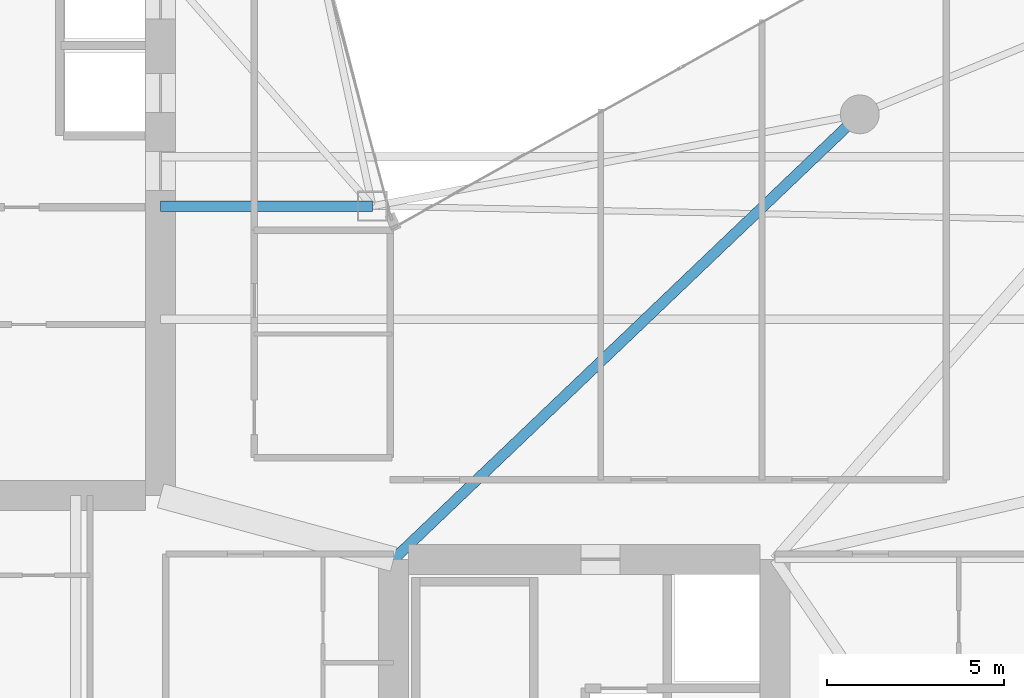
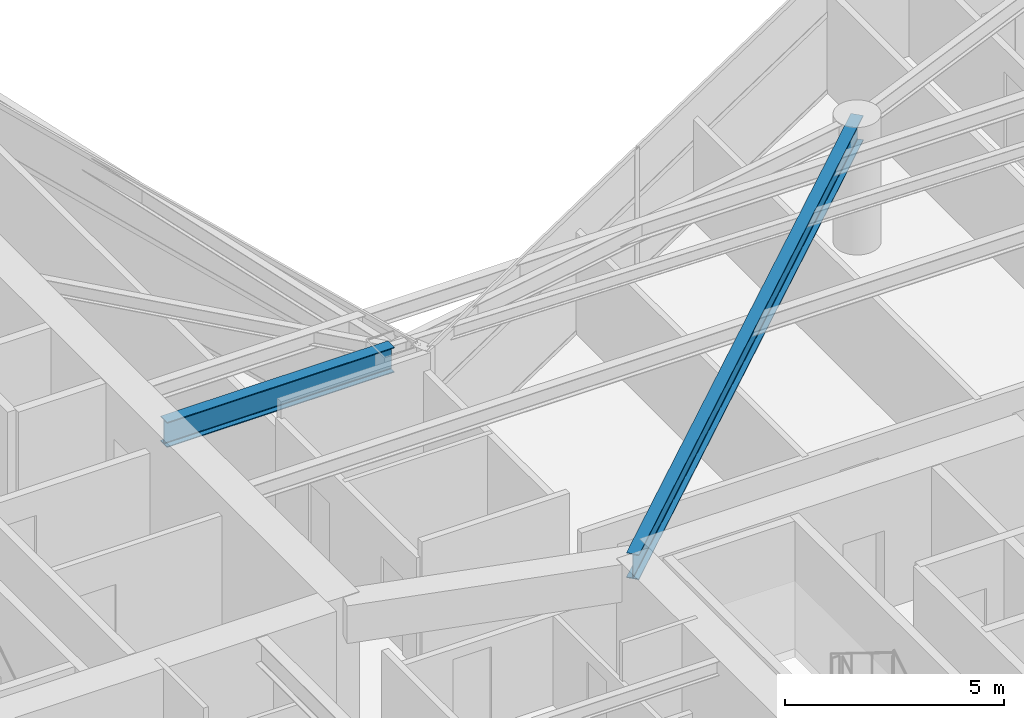
# One storey, part 9 of 28: 2 beams.
"""IFC4 building model written with IfcOpenShell, lengths in metres."""

from ifc_helpers import new_model, si_unit, direction, frame, origin, origin_2d, place, context, subcontext, project, spatial, i_section, extrude, material, material_profile, profile_set, type_object, element, save


model = new_model("IFC4")

# Units and contexts
model_context = context("Model", 3, precision=1e-05, world=origin(), true_north=direction((0.0, 1.0)))
body_context = subcontext(model_context, "Body", "Model", "MODEL_VIEW")
ifc_project = project(units=[si_unit("LENGTHUNIT", "METRE"), si_unit("AREAUNIT", "SQUARE_METRE"), si_unit("VOLUMEUNIT", "CUBIC_METRE"), si_unit("PLANEANGLEUNIT", "RADIAN"), si_unit("MASSUNIT", "GRAM", prefix="KILO")], contexts=[model_context])

# Site, building, storey
site_placement = place(None, origin())
site = spatial("IfcSite", under=ifc_project, at=site_placement, CompositionType="ELEMENT")
building_placement = place(site_placement, origin())
building = spatial("IfcBuilding", under=site, at=building_placement, Name="Calvorn Quay Hotel", CompositionType="ELEMENT")
storey_placement = place(building_placement, frame((0.0, 0.0, 112.60009765625)))
storey = spatial("IfcBuildingStorey", under=building, at=storey_placement, Name="L27", CompositionType="ELEMENT", Elevation=112.60009765625)

# Beams
ifc_material = material(Name="Steel Q390GJC", Category="steel")
ifc_material_profile = material_profile(ifc_material, i_section(OverallWidth=0.300048828125, OverallDepth=0.699951171875, WebThickness=0.012939453125, FlangeThickness=0.02392578125, FilletRadius=0.02392578125, at=origin_2d()), Name="HN700x300x13x24")
ifc_profile_set = profile_set([ifc_material_profile], Name="Steel Q390GJC")
beam_type = type_object("IfcBeamType", Name="BM-GIRD-MAIN", PredefinedType="BEAM", material=ifc_profile_set)
beam_1_placement = place(storey_placement, frame((21.0, 25.0, 3.18994140625), z_axis=(-1.0, 0.0, 0.0), x_axis=(0.0, -1.0, 0.0)))
element("IfcBeam", 1, at=beam_1_placement, inside=storey, type_object=beam_type, Name="Beam BG-L27-W7", PredefinedType="BEAM", context=body_context, shape_type="SweptSolid", body=[
    extrude(i_section(OverallWidth=0.300048828125, OverallDepth=0.699951171875, WebThickness=0.012939453125, FlangeThickness=0.02392578125, FilletRadius=0.02392578125, at=origin_2d()), origin(), (0.0, 0.0, 1.0), 6.0),
])
beam_2_placement = place(storey_placement, frame((21.60009765625, 15.0, 3.18994140625), z_axis=(0.723351595578, 0.690479883252, 0.0), x_axis=(-0.690479883252, 0.723351595578, 0.0)))
element("IfcBeam", 2, at=beam_2_placement, inside=storey, type_object=beam_type, Name="Beam BG-L27-E4", PredefinedType="BEAM", context=body_context, shape_type="SweptSolid", body=[
    extrude(i_section(OverallWidth=0.300048828125, OverallDepth=0.699951171875, WebThickness=0.012939453125, FlangeThickness=0.02392578125, FilletRadius=0.02392578125, at=origin_2d()), origin(), (0.0, 0.0, 1.0), 18.248291015625),
])

save(model, "model.ifc")
